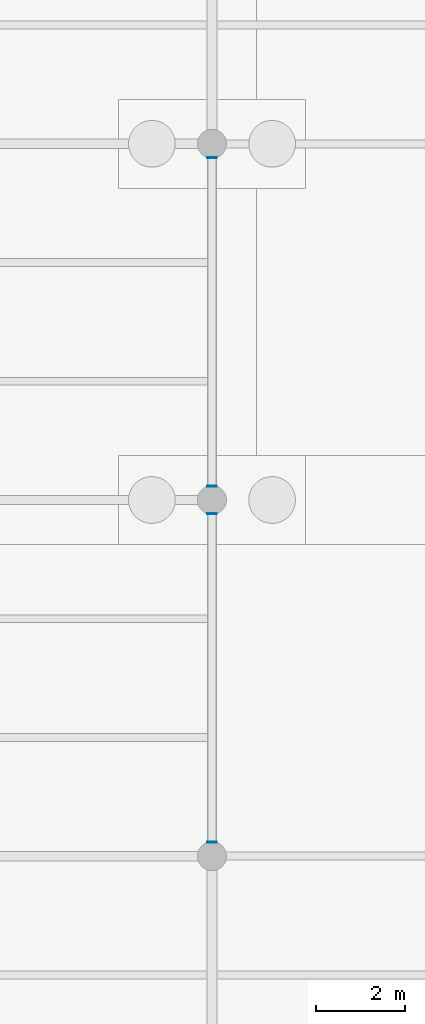
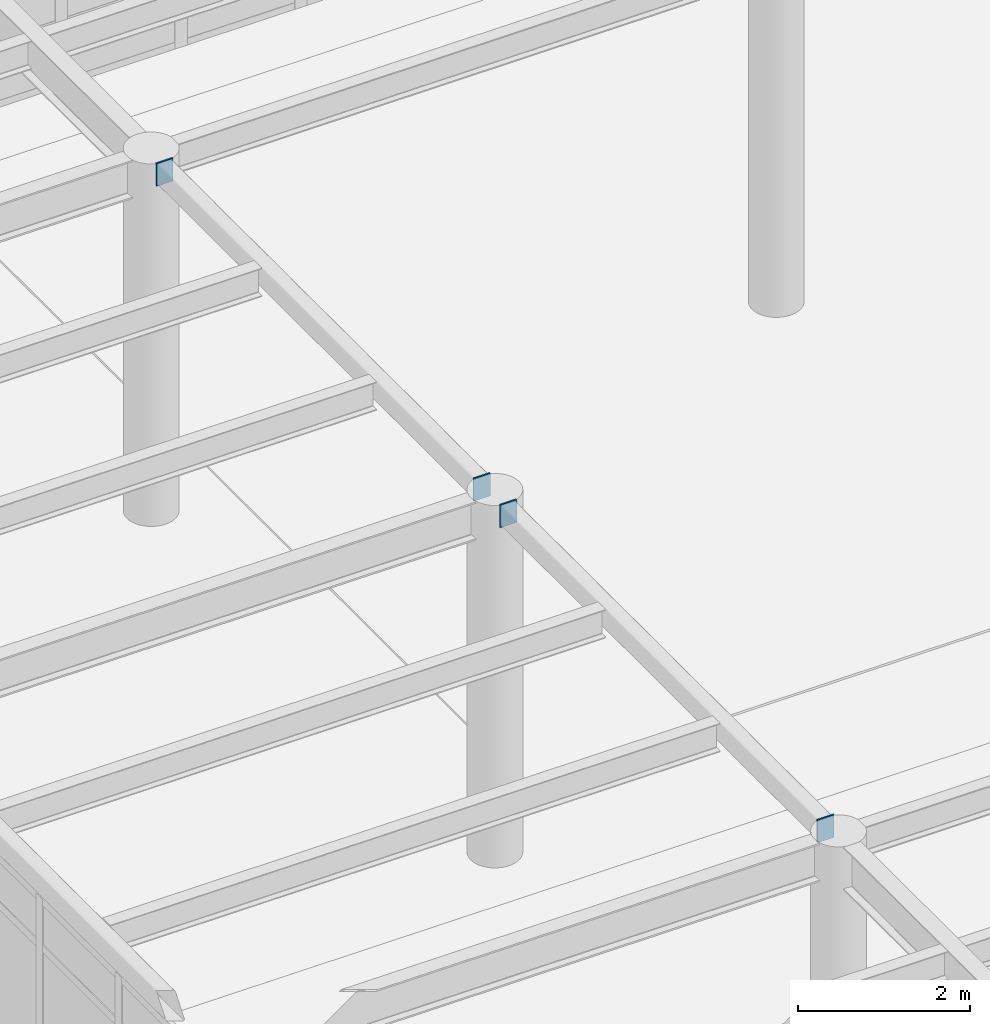
# One storey, part 108 of 138: 4 discrete accessories.
"""IFC4 building model written with IfcOpenShell, lengths in metres."""

from ifc_helpers import new_model, si_unit, direction, frame, origin, origin_2d, place, context, subcontext, project, spatial, rectangle, extrude, material, layer, layer_set, type_object, element, save


model = new_model("IFC4")

# Units and contexts
model_context = context("Model", 3, precision=1e-05, world=origin(), true_north=direction((0.0, 1.0)))
body_context = subcontext(model_context, "Body", "Model", "MODEL_VIEW")
ifc_project = project(units=[si_unit("LENGTHUNIT", "METRE"), si_unit("AREAUNIT", "SQUARE_METRE"), si_unit("VOLUMEUNIT", "CUBIC_METRE"), si_unit("PLANEANGLEUNIT", "RADIAN"), si_unit("MASSUNIT", "GRAM", prefix="KILO")], contexts=[model_context])

# Site, building, storey
site_placement = place(None, origin())
site = spatial("IfcSite", under=ifc_project, at=site_placement, CompositionType="ELEMENT")
building_placement = place(site_placement, origin())
building = spatial("IfcBuilding", under=site, at=building_placement, Name="Kranzveld Transit Interchange", CompositionType="ELEMENT")
storey_placement = place(building_placement, origin())
storey = spatial("IfcBuildingStorey", under=building, at=storey_placement, Name="L00", CompositionType="ELEMENT", Elevation=0.0)

# Discrete accessories
ifc_material = material(Name="Steel S355JR", Category="steel")
ifc_layer = layer(ifc_material, 0.02001953125)
ifc_layer_set = layer_set([ifc_layer], Name="Steel S355JR")
discrete_accessory_type = type_object("IfcDiscreteAccessoryType", Name="Hollow Section End Cap Bracket 20 S355JR", PredefinedType="BRACKET", material=ifc_layer_set)
for number, where, z_axis, x_axis, name in (
    (1, (67.199951171875, 64.319091796875, 5.0), (0.0, -1.0, 0.0), (1.0, 0.0, 0.0), "Hollow Section End Cap SP-RHS300-1"),
    (2, (67.199951171875, 71.680908203125, 5.0), (0.0, 1.0, 0.0), (-1.0, 0.0, 0.0), "Hollow Section End Cap SP-RHS300-2"),
    (3, (67.199951171875, 72.319091796875, 5.0), (0.0, -1.0, 0.0), (1.0, 0.0, 0.0), "Hollow Section End Cap SP-RHS300-1"),
    (4, (67.199951171875, 79.680908203125, 5.0), (0.0, 1.0, 0.0), (-1.0, 0.0, 0.0), "Hollow Section End Cap SP-RHS300-2"),
):
    element("IfcDiscreteAccessory", number, at=place(storey_placement, frame(where, z_axis=z_axis, x_axis=x_axis)), inside=storey, type_object=discrete_accessory_type, Name=name, PredefinedType="BRACKET", context=body_context, shape_type="SweptSolid", body=[
        extrude(rectangle(XDim=0.22412109375, YDim=0.323974609375, at=origin_2d()), origin(), (0.0, 0.0, 1.0), 0.02001953125),
    ])

save(model, "model.ifc")
